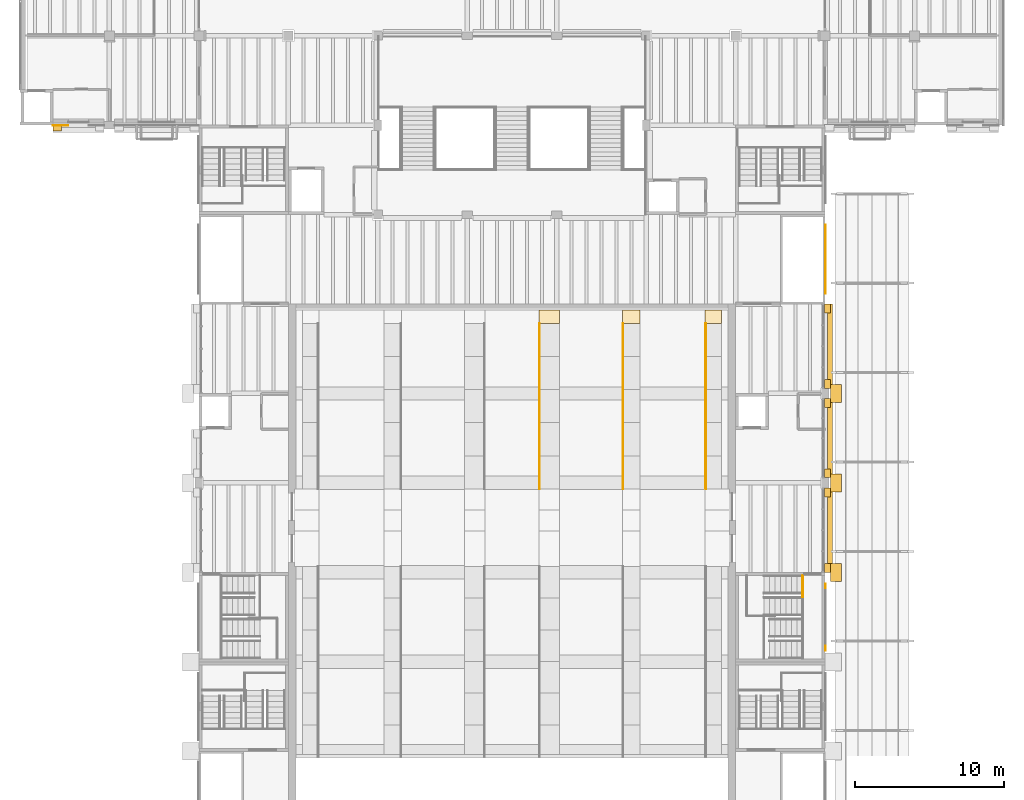
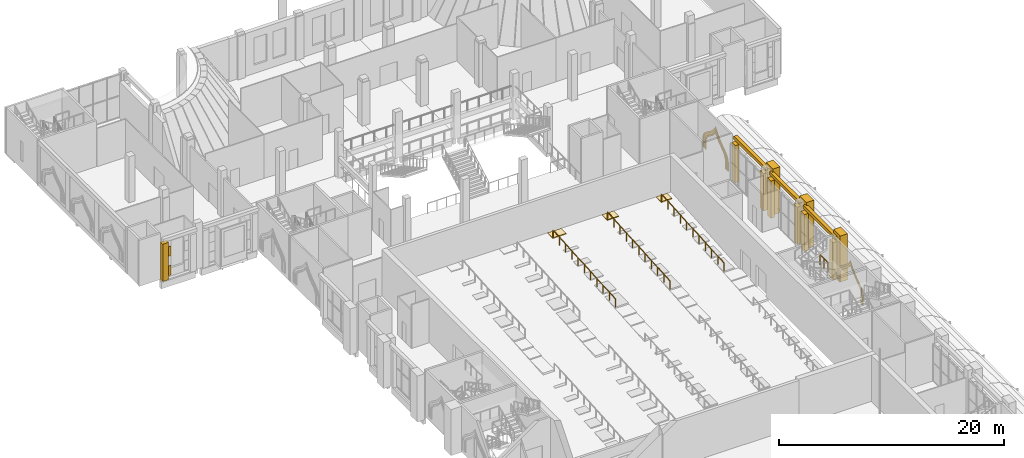
# One storey, part 72 of 80: 23 coverings, 4 railings.
"""IFC4 building model written with IfcOpenShell, lengths in metres."""

from ifc_helpers import new_model, si_unit, direction, frame, origin, origin_2d, place, context, subcontext, project, spatial, polyline, rectangle, circle, outline, extrude, material, layer, layer_set, type_object, element, save


model = new_model("IFC4")

# Units and contexts
model_context = context("Model", 3, precision=1e-05, world=origin(), true_north=direction((0.0, 1.0)))
body_context = subcontext(model_context, "Body", "Model", "MODEL_VIEW")
ifc_project = project(units=[si_unit("LENGTHUNIT", "METRE"), si_unit("AREAUNIT", "SQUARE_METRE"), si_unit("VOLUMEUNIT", "CUBIC_METRE"), si_unit("PLANEANGLEUNIT", "RADIAN"), si_unit("MASSUNIT", "GRAM", prefix="KILO")], contexts=[model_context])

# Site, building, storey
site_placement = place(None, origin())
site = spatial("IfcSite", under=ifc_project, at=site_placement, CompositionType="ELEMENT")
building_placement = place(site_placement, origin())
building = spatial("IfcBuilding", under=site, at=building_placement, Name="Saffron Lane Theatres", CompositionType="ELEMENT")
storey_placement = place(building_placement, frame((0.0, 0.0, 7.0)))
storey = spatial("IfcBuildingStorey", under=building, at=storey_placement, Name="L01", CompositionType="ELEMENT", Elevation=7.0)

# Coverings
ifc_material_1 = material(Name="Masonry sandstone", Category="masonry")
ifc_layer_1 = layer(ifc_material_1, 0.050048828125)
ifc_layer_set_1 = layer_set([ifc_layer_1], Name="Masonry sandstone")
covering_type_1 = type_object("IfcCoveringType", Name="EX-ARCH FRAME RING SANDSTONE 50", PredefinedType="CLADDING", material=ifc_layer_set_1)
covering_1_placement = place(storey_placement, frame((54.0, 66.949951171875, 1.297119140625), z_axis=(-1.0, 0.0, 0.0), x_axis=(0.0, 0.067277250526, 0.997734319126)))
element("IfcCovering", 1, at=covering_1_placement, inside=storey, type_object=covering_type_1, Name="Arch recess ring L01", PredefinedType="CLADDING", context=body_context, shape_type="SweptSolid", body=[
    extrude(outline(polyline([(0.0, 0.0), (0.19233029031026627, -1.734723475976807e-18), (0.3686361813310119, 0.027262893416721473), (0.5275519096710343, 0.07967851847782519), (0.6708947742924419, 0.15516677446133414), (0.801502910238719, 0.24864238533224844), (0.9231258912040249, 0.3576502620084015), (1.0375317408204932, 0.47937954132705035), (1.1515545444756434, 0.6099436703748589), (1.2681994774824994, 0.7503634852332024), (1.390304674884545, 0.8955537098670809), (1.5227911616168623, 1.045916604517425), (1.6694413615935944, 1.199484255062579), (1.8330304985878798, 1.3538672728603438), (2.016903096883326, 1.5078613564498122), (2.2254737921748915, 1.6579877914978223), (2.5852450627263814, 1.8803809916168035), (2.258586813918305, 2.1490601516926007), (2.0720586162356986, 2.3258281151472655), (1.9105241675290636, 2.5031130047050683), (1.7691417792436548, 2.6780602602125323), (1.6444355262159311, 2.849925483288521), (1.5333345326929018, 3.016713487930638), (1.4318264232205393, 3.1769819635369636), (1.3350887235237119, 3.3317901747481), (1.2396262941592646, 3.4764798983888334), (1.142598210914092, 3.6124661731803407), (1.0367104853209044, 3.7368151025888094), (0.9198337413277493, 3.846978625211365), (0.7879227532606154, 3.941027255485577), (0.6374823816763479, 4.014302770236232), (0.4664325258529695, 4.064987870501222), (0.27584329720183115, 4.090808143408288), (-0.619340692736567, 4.151170422628053), (-0.632792857819829, 3.951672276298924), (0.2563014451121856, 3.8917206248289538), (0.4240427259492967, 3.8681750747018797), (0.5646332999700076, 3.8266400003332506), (0.6859993674224233, 3.7685384980453724), (0.7931577147319555, 3.6920641156468856), (0.8911443426036292, 3.5993242257405083), (0.9838402256115377, 3.4898124390861174), (1.0746555884792561, 3.363298804143827), (1.16632195798919, 3.224003644458316), (1.2624602961251856, 3.071193408419198), (1.3657200041196895, 2.9078704821698738), (1.480373470016977, 2.735704338682526), (1.6104494943810679, 2.55638087603933), (1.7586139035544, 2.3731460678639413), (1.9292841224015533, 2.1861914371370204), (2.126083902075996, 1.9984536695620012), (2.2420303030465982, 1.9035239715952113), (2.114389223761854, 1.8250193836201942), (1.8941672372391434, 1.6654014043510899), (1.6999434106637878, 1.5030515883918443), (1.5285210457421055, 1.3413665245256619), (1.3755484180494837, 1.1811290396929053), (1.2388196043232536, 1.0259136097170671), (1.1145686057592639, 0.8779317362000586), (0.9987858360731082, 0.7394113458537825), (0.8892489468921257, 0.6136833270214762), (0.7822712757925029, 0.5005068813925057), (0.6757125999515381, 0.40443083471138436), (0.5661626946456565, 0.32568513851799763), (0.4497077350807808, 0.2642890070919583), (0.3216402227517218, 0.22300681743565523), (0.17674626991316658, 0.20072197197738367), (0.0073624780768782, 0.19990877407892305), (-0.8817318248551363, 0.2598604255488935), (-0.8951839899383982, 0.06036227921976477), (0.0, 0.0)])), origin(), (0.0, 0.0, -1.0), 0.050048828125),
])
covering_2_placement = place(storey_placement, frame((54.0, 66.75, 1.2958984375), z_axis=(-1.0, 0.0, 0.0), x_axis=(0.0, 0.067065646472, 0.997748565052)))
element("IfcCovering", 2, at=covering_2_placement, inside=storey, type_object=covering_type_1, Name="Arch recess ring L01", PredefinedType="CLADDING", context=body_context, shape_type="SweptSolid", body=[
    extrude(outline(polyline([(0.0, 0.0), (0.2074984191926236, -1.734723475976807e-18), (0.3949565987586749, 0.029486570596540487), (0.5642577725688886, 0.08735436036579791), (0.717006825863624, 0.16835697159344967), (0.8571974438937694, 0.27002373702473836), (0.9873453927117799, 0.38973863913971574), (1.112807662625058, 0.5234712242409627), (1.2368962863562354, 0.6695307182950527), (1.364579312989259, 0.8253809602518462), (1.4999159215703994, 0.9895256466896439), (1.6475487029811116, 1.1582270352158286), (1.809442758336358, 1.3315977291979), (1.9914586333089161, 1.5058181189990125), (2.196681143111999, 1.6794573949928495), (2.42863316452881, 1.85032122778061), (2.776077461779361, 2.068477613157778), (2.4609543525500626, 2.3311697793950295), (2.253955467173975, 2.531538567002596), (2.073817081002381, 2.7310806390702025), (1.9167543420705462, 2.928092869664417), (1.7795187006768023, 3.1215701588289084), (1.655791154580694, 3.3085115693691134), (1.54363934956495, 3.48929167983406), (1.4379622381804387, 3.6608276857849567), (1.334536906892433, 3.8221799810608545), (1.2281005845377642, 3.971500089463132), (1.1151447570076538, 4.107555693526036), (0.9898212305293306, 4.22706951819905), (0.8492867700734272, 4.327785761836828), (0.6892529683098338, 4.407790454445362), (0.5074272551466756, 4.462099173491861), (0.3017954091224526, 4.4898685427340315), (-0.5921834077088134, 4.549959099997454), (-0.6015653938973532, 4.410381480911809), (0.2885159676016784, 4.350552898829917), (0.4771455668939128, 4.324660443881734), (0.6383663000720692, 4.276875251559516), (0.7770827331991319, 4.207357034802879), (0.9003937617368865, 4.119788383334645), (1.0125694087921775, 4.012169438367741), (1.1171836822691663, 3.886706881200974), (1.2179231934395136, 3.74364229201819), (1.3196781456917779, 3.586562030623556), (1.4243808932432305, 3.4150915184680417), (1.538415932129709, 3.233206056579271), (1.6638302307104045, 3.0422362031160675), (1.804928569764272, 2.844339519030701), (1.9667137560473695, 2.6411372630123773), (2.1531978590338507, 2.434072596587418), (2.367842283260377, 2.2273173021695953), (2.5385762774713267, 2.0844417257822565), (2.350257199200182, 1.9657006129933607), (2.109873713388342, 1.789530921019154), (1.8973558267373267, 1.6092859638033192), (1.7098315788689158, 1.4295632334296131), (1.5435181285927948, 1.2523298417874182), (1.3936746443344354, 1.0798619855197642), (1.2563238142917952, 0.9148739228396727), (1.1296151514918304, 0.7589581870874968), (1.0077536040571458, 0.616908751733141), (0.8887740708727788, 0.4886130134091051), (0.7683102989132307, 0.3782795229756905), (0.6427411707022231, 0.2866410640821107), (0.5088201473125074, 0.216362774594851), (0.3620479773534, 0.1660342398852799), (0.1958824626238666, 0.14025496281157382), (0.005484530856305384, 0.13983959426717443), (-0.8845968306427262, 0.19966817634906692), (-0.893978816831266, 0.06009055726342237), (0.0, 0.0)])), origin(), (0.0, 0.0, -1.0), 0.050048828125),
])
covering_3_placement = place(storey_placement, frame((54.0, 91.159912109375, 1.236083984375), z_axis=(-1.0, 0.0, 0.0), x_axis=(0.0, 0.070052199931, 0.997543327021)))
element("IfcCovering", 3, at=covering_3_placement, inside=storey, type_object=covering_type_1, Name="Arch recess ring L01", PredefinedType="CLADDING", context=body_context, shape_type="SweptSolid", body=[
    extrude(outline(polyline([(0.0, 0.0), (0.17425621553607237, 0.0), (0.3332302426515908, 0.02285521433109288), (0.4759650205291351, 0.0688775941960976), (0.6048658571272827, 0.13398235750722476), (0.7227868323104211, 0.21699010980469396), (0.8338209374085193, 0.3134528100342753), (0.9399164992321657, 0.42323363749297804), (1.0443845787937367, 0.5412052363362231), (1.1527198955253422, 0.6689396764413744), (1.2672593470340636, 0.8013780123153483), (1.392194435556024, 0.9389601225182602), (1.5283625037935262, 1.0796692698880261), (1.682706518319837, 1.2213046934170395), (1.855786075810189, 1.3613796768284432), (2.0520191167641535, 1.500073455243155), (2.349264146322142, 1.679643102779874), (2.0800331557015133, 1.8989933697111585), (1.9051099392383608, 2.0637514920456117), (1.7533060010630737, 2.226641327680726), (1.620271811027575, 2.388457804900878), (1.5051057206991554, 2.5468168229564525), (1.400625327274315, 2.700509570936527), (1.3057196466447687, 2.847656132382009), (1.216299792101637, 2.9892778738407233), (1.1293447625228843, 3.1206921067528115), (1.0396334798823825, 3.2442234148620868), (0.943170779652801, 3.3552575199601846), (0.8380083350235519, 3.4539312427500968), (0.719471666676955, 3.536412235341052), (0.5845698740456321, 3.6019315653822406), (0.4303503663590429, 3.6467807077190995), (0.25780440961035506, 3.6711347928514564), (-0.5763230061728635, 3.729711156319379), (-0.5847374794067958, 3.609889057468184), (0.2452497419039222, 3.5516034379941166), (0.40521708732315365, 3.5293563916878177), (0.5407140500124862, 3.489737904826296), (0.6590468555116269, 3.4322348997733356), (0.7621426234222006, 3.359893689481027), (0.8572904766960407, 3.27195765546183), (0.9453065508264871, 3.169593194208742), (1.0303310402860402, 3.052509561727907), (1.1164487271624894, 2.923112065977903), (1.2047876981519938, 2.7835241642691466), (1.3007742623351675, 2.634343763073707), (1.40699775151611, 2.477591704174759), (1.5257697514718511, 2.314818850240701), (1.6623585433710502, 2.147857914588097), (1.820066978983904, 1.9784348903851734), (2.0004931241213453, 1.8083954889152767), (2.1417673409944626, 1.6942145076483908), (1.9859217192528282, 1.6008986835875971), (1.7835016461096211, 1.457744550255386), (1.6036624617880104, 1.3120257128456134), (1.4450797418830457, 1.1657931136961102), (1.3047242760305109, 1.021217413259825), (1.177635629643476, 0.8808496335440211), (1.0617416531751458, 0.7465484837988279), (0.9547608614031491, 0.6206768575648959), (0.851403765949863, 0.5045851751807439), (0.7508501267008576, 0.4005337146597796), (0.6493914185015683, 0.3114750667725437), (0.5428874468794945, 0.23769997551289157), (0.4306931022200347, 0.18047745290106257), (0.3054850563956079, 0.14007703572194855), (0.1657808570893092, 0.11978447315787275), (0.0042742787614316, 0.12011284284505058), (-0.8257129425492863, 0.17839846231911785), (-0.8341274157832186, 0.05857636346792266), (0.0, 0.0)])), origin(), (0.0, 0.0, -1.0), 0.050048828125),
])
covering_4_placement = place(storey_placement, frame((54.0, 90.89990234375, 1.237060546875), z_axis=(-1.0, 0.0, 0.0), x_axis=(0.0, 0.066765192838, 0.997768715197)))
element("IfcCovering", 4, at=covering_4_placement, inside=storey, type_object=covering_type_1, Name="Arch recess ring L01", PredefinedType="CLADDING", context=body_context, shape_type="SweptSolid", body=[
    extrude(outline(polyline([(0.0, 0.0), (0.19746207851001016, 1.734723475976807e-18), (0.37770038901075476, 0.02782335815376883), (0.5406334310226948, 0.08225209507263866), (0.6871694821122494, 0.15857638860013262), (0.8208483797740672, 0.25484656615349843), (0.9445760688841597, 0.3669531924421973), (1.0629962656544885, 0.4911599232598029), (1.1794215117978764, 0.6257769819972044), (1.2991131160490152, 0.7689841912780281), (1.4244092366097936, 0.9191569748767947), (1.5600024899798968, 1.0732897762202782), (1.7109757893999142, 1.2305531015389473), (1.877913221639876, 1.3887056876454766), (2.0678301668663317, 1.5465440441253384), (2.2815380076311382, 1.7015670118175659), (2.6475457945106817, 1.9276348530849203), (2.314920604050358, 2.200451369415909), (2.1237720960219777, 2.3825650965069367), (1.9565774844910262, 2.564299393587666), (1.8121993849874904, 2.7432835022643918), (1.683524616769374, 2.9192593376852414), (1.5696756913403056, 3.090083437238335), (1.4655044950760647, 3.25561091118227), (1.3659598093669945, 3.4134882067801335), (1.2685078748603114, 3.562416749724603), (1.1676917816704306, 3.7012935668592486), (1.0600033869336354, 3.8288852842603784), (0.9403425717525447, 3.94210756155788), (0.8052817881820971, 4.037274765954816), (0.651052997384934, 4.11292622774567), (0.4761285181501395, 4.164515125733044), (0.28042684999817413, 4.19082348052827), (-0.5548634147502236, 4.246716509396192), (-0.5682294933946379, 4.046967889654668), (0.2609708744104207, 3.9914823631844407), (0.43385603053497, 3.9679241967932186), (0.5783002359830207, 3.925226095562678), (0.7024725554870431, 3.8647989233497295), (0.8134372695013108, 3.7861699773730466), (0.9145078252995301, 3.691319719285429), (1.0102310440791, 3.5787204678759603), (1.1035952767564547, 3.449151005504681), (1.1972483833557312, 3.3056150776230497), (1.2961111817193247, 3.14851746994611), (1.4021170443340791, 2.9811544240907772), (1.5195212017928204, 2.804954009570754), (1.6525951847842812, 2.621587891777475), (1.8053832282153692, 2.4329876320760175), (1.9810692841534128, 2.242855163359225), (2.1827548986253165, 2.0500042008693606), (2.3043192027840873, 1.9506016882190418), (2.170595027078081, 1.8682816760801206), (1.9450134720053098, 1.7040210818125767), (1.7455618762336615, 1.5389907607938302), (1.5690082929689688, 1.3724282307597486), (1.4126903732129532, 1.2084266269049622), (1.2728572837850487, 1.049439113663599), (1.1454982955310469, 0.8976915596879602), (1.0265863792008323, 0.7551662377526137), (0.9146445649929791, 0.6253875908171842), (0.8048498356405397, 0.5094124084330287), (0.69497813361298, 0.41057043796976217), (0.5821715087611286, 0.33003166408921236), (0.4617201389285084, 0.26688780922496025), (0.3306039785677537, 0.22354313752340954), (0.18175874722459093, 0.20047035176588712), (0.007276181701075103, 0.20015612213921966), (-0.8219241861039834, 0.2556416486094466), (-0.8352902647483977, 0.05589302886792252), (0.0, 0.0)])), origin(), (0.0, 0.0, -1.0), 0.050048828125),
])
covering_5_placement = place(storey_placement, frame((54.0, 90.699951171875, 1.236083984375), z_axis=(-1.0, 0.0, 0.0), x_axis=(0.0, 0.071247049988, 0.997458699831)))
element("IfcCovering", 5, at=covering_5_placement, inside=storey, type_object=covering_type_1, Name="Arch recess ring L01", PredefinedType="CLADDING", context=body_context, shape_type="SweptSolid", body=[
    extrude(outline(polyline([(0.0, 0.0), (0.2124539718145333, -1.734723475976807e-18), (0.40399999585429425, 0.029396365839738106), (0.5774211600094357, 0.08603220440434597), (0.7338828823339589, 0.16908998362609123), (0.8766031082008531, 0.27222078425556295), (1.01062618441102, 0.3940852452456252), (1.1395527309223448, 0.5302652145706606), (1.267453013774176, 0.6794909083807866), (1.3991626481756534, 0.8375007233442073), (1.5384040141798565, 1.0050078257327741), (1.690012726995926, 1.1777506122146908), (1.8569806061057759, 1.353067754994999), (2.0442302382151136, 1.531341928658594), (2.254353373921644, 1.707737517996336), (2.4933858350871354, 1.8810891049542235), (2.847951232292592, 2.1024837466158726), (2.5284527425030596, 2.3720258087771637), (2.3164858110693034, 2.5775916380635686), (2.133567359489016, 2.7820616264932267), (1.9735572001045478, 2.9851400709778075), (1.8332025989442835, 3.1824088194916955), (1.7076853350983958, 3.374946318592323), (1.5936657030987016, 3.560543492266883), (1.4857514701580299, 3.7356692977547428), (1.380359410617809, 3.901558730307158), (1.2720972916908682, 4.0546807471634985), (1.1567556929433513, 4.194356970650539), (1.030142588240716, 4.316725866320691), (0.8870744763875528, 4.421178633697985), (0.7234636970451997, 4.501888182512413), (0.5380404663637747, 4.55821092368938), (0.32774338766410976, 4.588407427297536), (-0.5063132644160335, 4.647982902446118), (-0.5162975922219565, 4.508202313163197), (0.3136192166215847, 4.448922541102944), (0.5072699508782736, 4.422117925860912), (0.6720287539753147, 4.371187417471117), (0.8143663052573129, 4.301053602639268), (0.9402662436880966, 4.209820502740199), (1.0547555217692541, 4.099331913501136), (1.1608259589826997, 3.9703531840918704), (1.2646525315847097, 3.823667057981509), (1.3674006576292854, 3.6618826800670687), (1.4740972896180153, 3.486843846075776), (1.5899955059435626, 3.3001334372451554), (1.7174261427139303, 3.1035430664044927), (1.861311786634826, 2.9008820851034343), (2.025844463840792, 2.6925853508248165), (2.2153205662622524, 2.480548842193806), (2.434575709108346, 2.2673643098081078), (2.610519046663938, 2.119443188446491), (2.4153376140676652, 1.9980309792385782), (2.168008072129656, 1.8181739243374588), (1.9503184162217726, 1.6352206841585444), (1.7578504943183986, 1.452423992673451), (1.5866210118767525, 1.2722712346840026), (1.4325423085581723, 1.0957886738496931), (1.2912832038336084, 0.9274466450940806), (1.1607911703840728, 0.7693498586340927), (1.0360914386059175, 0.6238117562784188), (0.9124701533851963, 0.49337190572682343), (0.7891445712528039, 0.3807786062708325), (0.6601136589455984, 0.287684316345224), (0.5225247513761733, 0.21527184830331295), (0.3716639934305824, 0.16608076984486358), (0.20133901455323586, 0.13908481731038222), (0.0058444845693207135, 0.1400762923712491), (-0.8240723242742205, 0.19935606443150206), (-0.8340566520801433, 0.05957547514858168), (0.0, 0.0)])), origin(), (0.0, 0.0, -1.0), 0.050048828125),
])
ifc_material_2 = material(Name="Face brick cladding, pale buff", Category="masonry")
ifc_layer_2 = layer(ifc_material_2, 0.0400390625)
ifc_layer_set_2 = layer_set([ifc_layer_2], Name="Face brick cladding, pale buff")
covering_type_2 = type_object("IfcCoveringType", Name="EX-FACE BRICK CLADDING PALE BUFF 40", PredefinedType="CLADDING", material=ifc_layer_set_2)
for number, where, z_axis, x_axis, name in (
    (6, (2.715087890625, 101.97998046875, 0.14990234375), (0.0, 0.0, 1.0), (-1.0, 0.0, 0.0), "Cladding course L01"),
    (7, (2.715087890625, 101.97998046875, 2.25), (0.0, 0.0, 1.0), (-1.0, 0.0, 0.0), "Cladding course L01"),
):
    element("IfcCovering", number, at=place(storey_placement, frame(where, z_axis=z_axis, x_axis=x_axis)), inside=storey, type_object=covering_type_2, Name=name, PredefinedType="CLADDING", context=body_context, shape_type="SweptSolid", body=[
        extrude(rectangle(XDim=1.030029296875, YDim=0.0400390625, at=origin_2d()), origin(), (0.0, 0.0, 1.0), 1.050048828125),
    ])
ifc_material_3 = material(Name="Masonry sandstone", Category="masonry")
ifc_layer_3 = layer(ifc_material_3, 1.199951171875)
ifc_layer_set_3 = layer_set([ifc_layer_3], Name="Masonry sandstone")
covering_type_3 = type_object("IfcCoveringType", Name="EX-FLANK BUTTRESS PIER SANDSTONE 1200", PredefinedType="CLADDING", material=ifc_layer_set_3)
for number, where, z_axis, x_axis, name in (
    (8, (54.72509765625, 72.0, 0.0), (0.0, 0.0, 1.0), (0.0, 1.0, 0.0), "Flank buttress east L01"),
    (9, (54.72509765625, 78.0, 0.0), (0.0, 0.0, 1.0), (0.0, 1.0, 0.0), "Flank buttress east L01"),
    (10, (54.72509765625, 84.0, 0.0), (0.0, 0.0, 1.0), (0.0, 1.0, 0.0), "Flank buttress east L01"),
):
    element("IfcCovering", number, at=place(storey_placement, frame(where, z_axis=z_axis, x_axis=x_axis)), inside=storey, type_object=covering_type_3, Name=name, PredefinedType="CLADDING", context=body_context, shape_type="SweptSolid", body=[
        extrude(rectangle(XDim=1.199951171875, YDim=0.75, at=origin_2d()), origin(), (0.0, 0.0, 1.0), 5.0),
    ])
ifc_material_4 = material(Name="Masonry sandstone", Category="masonry")
ifc_layer_4 = layer(ifc_material_4, 0.39990234375)
ifc_layer_set_4 = layer_set([ifc_layer_4], Name="Masonry sandstone")
covering_type_4 = type_object("IfcCoveringType", Name="EX-PILASTER PIER SANDSTONE 400", PredefinedType="CLADDING", material=ifc_layer_set_4)
for number, where, z_axis, x_axis, name in (
    (11, (2.5, 101.800048828125, 0.0), (0.0, 0.0, 1.0), (-1.0, 0.0, 0.0), "Pilaster pier L01"),
    (12, (54.14990234375, 89.699951171875, 0.0), (0.0, 0.0, 1.0), (0.0, -1.0, 0.0), "Pilaster pier L01"),
    (13, (54.14990234375, 84.64990234375, 0.0), (0.0, 0.0, 1.0), (0.0, -1.0, 0.0), "Pilaster pier L01"),
    (14, (54.14990234375, 83.35009765625, 0.0), (0.0, 0.0, 1.0), (0.0, -1.0, 0.0), "Pilaster pier L01"),
    (15, (54.14990234375, 78.64990234375, 0.0), (0.0, 0.0, 1.0), (0.0, -1.0, 0.0), "Pilaster pier L01"),
    (16, (54.14990234375, 77.35009765625, 0.0), (0.0, 0.0, 1.0), (0.0, -1.0, 0.0), "Pilaster pier L01"),
    (17, (54.14990234375, 72.300048828125, 0.0), (0.0, 0.0, 1.0), (0.0, -1.0, 0.0), "Pilaster pier L01"),
):
    element("IfcCovering", number, at=place(storey_placement, frame(where, z_axis=z_axis, x_axis=x_axis)), inside=storey, type_object=covering_type_4, Name=name, PredefinedType="CLADDING", context=body_context, shape_type="SweptSolid", body=[
        extrude(rectangle(XDim=0.60009765625, YDim=0.39990234375, at=origin_2d()), origin(), (0.0, 0.0, 1.0), 4.050048828125),
    ])
ifc_material_5 = material(Name="Masonry sandstone", Category="masonry")
ifc_layer_5 = layer(ifc_material_5, 0.300048828125)
ifc_layer_set_5 = layer_set([ifc_layer_5], Name="Masonry sandstone")
covering_type_5 = type_object("IfcCoveringType", Name="EX-STRING COURSE SANDSTONE 350", PredefinedType="CLADDING", material=ifc_layer_set_5)
covering_6_placement = place(storey_placement, frame((54.324951171875, 87.175048828125, 4.300048828125), z_axis=(0.0, 0.0, 1.0), x_axis=(0.0, -1.0, 0.0)))
element("IfcCovering", 18, at=covering_6_placement, inside=storey, type_object=covering_type_5, Name="String course L01", PredefinedType="CLADDING", context=body_context, shape_type="SweptSolid", body=[
    extrude(rectangle(XDim=5.64990234375, YDim=0.35009765625, at=origin_2d()), origin(), (0.0, 0.0, 1.0), 0.35009765625),
])
covering_7_placement = place(storey_placement, frame((54.324951171875, 81.0, 4.300048828125), z_axis=(0.0, 0.0, 1.0), x_axis=(0.0, -1.0, 0.0)))
element("IfcCovering", 19, at=covering_7_placement, inside=storey, type_object=covering_type_5, Name="String course L01", PredefinedType="CLADDING", context=body_context, shape_type="SweptSolid", body=[
    extrude(rectangle(XDim=5.300048828125, YDim=0.35009765625, at=origin_2d()), origin(), (0.0, 0.0, 1.0), 0.35009765625),
])
covering_8_placement = place(storey_placement, frame((54.324951171875, 74.824951171875, 4.300048828125), z_axis=(0.0, 0.0, 1.0), x_axis=(0.0, -1.0, 0.0)))
element("IfcCovering", 20, at=covering_8_placement, inside=storey, type_object=covering_type_5, Name="String course L01", PredefinedType="CLADDING", context=body_context, shape_type="SweptSolid", body=[
    extrude(rectangle(XDim=5.64990234375, YDim=0.35009765625, at=origin_2d()), origin(), (0.0, 0.0, 1.0), 0.35009765625),
])
ifc_material_6 = material(Name="Cement screed", Category="screed")
covering_type_6 = type_object("IfcCoveringType", Name="VC-AISLE PLATFORM", PredefinedType="FLOORING", material=ifc_material_6)
covering_9_placement = place(storey_placement, frame((0.0, 0.0, 1.0458984375)))
element("IfcCovering", 21, at=covering_9_placement, inside=storey, type_object=covering_type_6, Name="Stalls aisle 4 part 2 landing 1", PredefinedType="FLOORING", context=body_context, shape_type="SweptSolid", body=[
    extrude(outline(polyline([(34.800048828125, 88.699951171875), (36.199951171875, 88.699951171875), (36.199951171875, 89.60009765625), (34.800048828125, 89.60009765625), (34.800048828125, 88.699951171875)])), origin(), (0.0, 0.0, 1.0), 0.1220703125),
])
covering_10_placement = place(storey_placement, frame((0.0, 0.0, 1.0458984375)))
element("IfcCovering", 22, at=covering_10_placement, inside=storey, type_object=covering_type_6, Name="Stalls aisle 5 part 2 landing 1", PredefinedType="FLOORING", context=body_context, shape_type="SweptSolid", body=[
    extrude(outline(polyline([(40.39990234375, 88.699951171875), (41.60009765625, 88.699951171875), (41.60009765625, 89.60009765625), (40.39990234375, 89.60009765625), (40.39990234375, 88.699951171875)])), origin(), (0.0, 0.0, 1.0), 0.1220703125),
])
covering_11_placement = place(storey_placement, frame((0.0, 0.0, 1.0458984375)))
element("IfcCovering", 23, at=covering_11_placement, inside=storey, type_object=covering_type_6, Name="Stalls aisle 6 part 2 landing 1", PredefinedType="FLOORING", context=body_context, shape_type="SweptSolid", body=[
    extrude(outline(polyline([(45.949951171875, 88.699951171875), (47.050048828125, 88.699951171875), (47.050048828125, 89.60009765625), (45.949951171875, 89.60009765625), (45.949951171875, 88.699951171875)])), origin(), (0.0, 0.0, 1.0), 0.1220703125),
])

# Railings
ifc_material_7 = material(Name="Steel Grade 350", Category="steel")
railing_type_1 = type_object("IfcRailingType", Name="VC-GUARD 1100", PredefinedType="GUARDRAIL", material=ifc_material_7)
railing_1_placement = place(storey_placement, frame((52.5, 70.35009765625, 2.333251953125)))
element("IfcRailing", 24, at=railing_1_placement, inside=storey, type_object=railing_type_1, Name="Auditorium East Rear Stair landing guard 2S2e", PredefinedType="GUARDRAIL", context=body_context, shape_type="SweptSolid", body=[
    extrude(circle(Radius=0.02392578125, at=origin_2d()), frame((0.0, 0.0, 1.076171875), z_axis=(0.0, 1.0, 0.0), x_axis=(-1.0, 0.0, 0.0)), (0.0, 0.0, 1.0), 1.419921875),
    extrude(circle(Radius=0.02099609375, at=origin_2d()), origin(), (0.0, 0.0, 1.0), 1.052001953125),
    extrude(circle(Radius=0.02099609375, at=origin_2d()), frame((0.0, 0.7099609375, 0.0)), (0.0, 0.0, 1.0), 1.052001953125),
    extrude(circle(Radius=0.02099609375, at=origin_2d()), frame((0.0, 1.419921875, 0.0)), (0.0, 0.0, 1.0), 1.052001953125),
])
ifc_material_8 = material(Name="Steel Grade 350", Category="steel")
railing_type_2 = type_object("IfcRailingType", Name="VC-HANDRAIL 900", PredefinedType="HANDRAIL", material=ifc_material_8)
railing_2_placement = place(storey_placement, frame((34.85009765625, 77.60009765625, 0.35595703125)))
element("IfcRailing", 25, at=railing_2_placement, inside=storey, type_object=railing_type_2, Name="Stalls aisle 4 part 2 handrail", PredefinedType="HANDRAIL", context=body_context, shape_type="SweptSolid", body=[
    extrude(circle(Radius=0.02392578125, at=origin_2d()), frame((0.0, 0.0, 0.8759765625), z_axis=(0.0, 0.997782972411, 0.066551784094), x_axis=(-1.0, 0.0, 0.0)), (0.0, 0.0, 1.0), 4.44970703125),
    extrude(circle(Radius=0.02392578125, at=origin_2d()), frame((0.0, 4.43994140625, 1.171875), z_axis=(0.0, 0.997786614227, 0.066497161357), x_axis=(-1.0, 0.0, 0.0)), (0.0, 0.0, 1.0), 4.44970703125),
    extrude(circle(Radius=0.02392578125, at=origin_2d()), frame((0.0, 8.8798828125, 1.4677734375), z_axis=(0.0, 0.997786614227, 0.066497161357), x_axis=(-1.0, 0.0, 0.0)), (0.0, 0.0, 1.0), 2.224853515625),
    extrude(circle(Radius=0.02099609375, at=origin_2d()), origin(), (0.0, 0.0, 1.0), 0.851806640625),
    extrude(circle(Radius=0.02099609375, at=origin_2d()), frame((0.0, 1.10986328125, 0.073974609375)), (0.0, 0.0, 1.0), 0.851806640625),
    extrude(circle(Radius=0.02099609375, at=origin_2d()), frame((0.0, 2.219970703125, 0.14794921875)), (0.0, 0.0, 1.0), 0.851806640625),
    extrude(circle(Radius=0.02099609375, at=origin_2d()), frame((0.0, 3.330078125, 0.22216796875)), (0.0, 0.0, 1.0), 0.851806640625),
    extrude(circle(Radius=0.02099609375, at=origin_2d()), frame((0.0, 4.43994140625, 0.296142578125)), (0.0, 0.0, 1.0), 0.851806640625),
    extrude(circle(Radius=0.02099609375, at=origin_2d()), frame((0.0, 5.5498046875, 0.3701171875)), (0.0, 0.0, 1.0), 0.851806640625),
    extrude(circle(Radius=0.02099609375, at=origin_2d()), frame((0.0, 6.659912109375, 0.444091796875)), (0.0, 0.0, 1.0), 0.851806640625),
    extrude(circle(Radius=0.02099609375, at=origin_2d()), frame((0.0, 7.77001953125, 0.51806640625)), (0.0, 0.0, 1.0), 0.851806640625),
    extrude(circle(Radius=0.02099609375, at=origin_2d()), frame((0.0, 8.8798828125, 0.592041015625)), (0.0, 0.0, 1.0), 0.851806640625),
    extrude(circle(Radius=0.02099609375, at=origin_2d()), frame((0.0, 9.98974609375, 0.666015625)), (0.0, 0.0, 1.0), 0.851806640625),
    extrude(circle(Radius=0.02099609375, at=origin_2d()), frame((0.0, 11.099853515625, 0.739990234375)), (0.0, 0.0, 1.0), 0.851806640625),
])
railing_3_placement = place(storey_placement, frame((40.449951171875, 77.60009765625, 0.35595703125)))
element("IfcRailing", 26, at=railing_3_placement, inside=storey, type_object=railing_type_2, Name="Stalls aisle 5 part 2 handrail", PredefinedType="HANDRAIL", context=body_context, shape_type="SweptSolid", body=[
    extrude(circle(Radius=0.02392578125, at=origin_2d()), frame((0.0, 0.0, 0.8759765625), z_axis=(0.0, 0.997782972411, 0.066551784094), x_axis=(-1.0, 0.0, 0.0)), (0.0, 0.0, 1.0), 4.44970703125),
    extrude(circle(Radius=0.02392578125, at=origin_2d()), frame((0.0, 4.43994140625, 1.171875), z_axis=(0.0, 0.997786614227, 0.066497161357), x_axis=(-1.0, 0.0, 0.0)), (0.0, 0.0, 1.0), 4.44970703125),
    extrude(circle(Radius=0.02392578125, at=origin_2d()), frame((0.0, 8.8798828125, 1.4677734375), z_axis=(0.0, 0.997786614227, 0.066497161357), x_axis=(-1.0, 0.0, 0.0)), (0.0, 0.0, 1.0), 2.224853515625),
    extrude(circle(Radius=0.02099609375, at=origin_2d()), origin(), (0.0, 0.0, 1.0), 0.851806640625),
    extrude(circle(Radius=0.02099609375, at=origin_2d()), frame((0.0, 1.10986328125, 0.073974609375)), (0.0, 0.0, 1.0), 0.851806640625),
    extrude(circle(Radius=0.02099609375, at=origin_2d()), frame((0.0, 2.219970703125, 0.14794921875)), (0.0, 0.0, 1.0), 0.851806640625),
    extrude(circle(Radius=0.02099609375, at=origin_2d()), frame((0.0, 3.330078125, 0.22216796875)), (0.0, 0.0, 1.0), 0.851806640625),
    extrude(circle(Radius=0.02099609375, at=origin_2d()), frame((0.0, 4.43994140625, 0.296142578125)), (0.0, 0.0, 1.0), 0.851806640625),
    extrude(circle(Radius=0.02099609375, at=origin_2d()), frame((0.0, 5.5498046875, 0.3701171875)), (0.0, 0.0, 1.0), 0.851806640625),
    extrude(circle(Radius=0.02099609375, at=origin_2d()), frame((0.0, 6.659912109375, 0.444091796875)), (0.0, 0.0, 1.0), 0.851806640625),
    extrude(circle(Radius=0.02099609375, at=origin_2d()), frame((0.0, 7.77001953125, 0.51806640625)), (0.0, 0.0, 1.0), 0.851806640625),
    extrude(circle(Radius=0.02099609375, at=origin_2d()), frame((0.0, 8.8798828125, 0.592041015625)), (0.0, 0.0, 1.0), 0.851806640625),
    extrude(circle(Radius=0.02099609375, at=origin_2d()), frame((0.0, 9.98974609375, 0.666015625)), (0.0, 0.0, 1.0), 0.851806640625),
    extrude(circle(Radius=0.02099609375, at=origin_2d()), frame((0.0, 11.099853515625, 0.739990234375)), (0.0, 0.0, 1.0), 0.851806640625),
])
railing_4_placement = place(storey_placement, frame((46.0, 77.60009765625, 0.35595703125)))
element("IfcRailing", 27, at=railing_4_placement, inside=storey, type_object=railing_type_2, Name="Stalls aisle 6 part 2 handrail", PredefinedType="HANDRAIL", context=body_context, shape_type="SweptSolid", body=[
    extrude(circle(Radius=0.02392578125, at=origin_2d()), frame((0.0, 0.0, 0.8759765625), z_axis=(0.0, 0.997782972411, 0.066551784094), x_axis=(-1.0, 0.0, 0.0)), (0.0, 0.0, 1.0), 4.44970703125),
    extrude(circle(Radius=0.02392578125, at=origin_2d()), frame((0.0, 4.43994140625, 1.171875), z_axis=(0.0, 0.997786614227, 0.066497161357), x_axis=(-1.0, 0.0, 0.0)), (0.0, 0.0, 1.0), 4.44970703125),
    extrude(circle(Radius=0.02392578125, at=origin_2d()), frame((0.0, 8.8798828125, 1.4677734375), z_axis=(0.0, 0.997786614227, 0.066497161357), x_axis=(-1.0, 0.0, 0.0)), (0.0, 0.0, 1.0), 2.224853515625),
    extrude(circle(Radius=0.02099609375, at=origin_2d()), origin(), (0.0, 0.0, 1.0), 0.851806640625),
    extrude(circle(Radius=0.02099609375, at=origin_2d()), frame((0.0, 1.10986328125, 0.073974609375)), (0.0, 0.0, 1.0), 0.851806640625),
    extrude(circle(Radius=0.02099609375, at=origin_2d()), frame((0.0, 2.219970703125, 0.14794921875)), (0.0, 0.0, 1.0), 0.851806640625),
    extrude(circle(Radius=0.02099609375, at=origin_2d()), frame((0.0, 3.330078125, 0.22216796875)), (0.0, 0.0, 1.0), 0.851806640625),
    extrude(circle(Radius=0.02099609375, at=origin_2d()), frame((0.0, 4.43994140625, 0.296142578125)), (0.0, 0.0, 1.0), 0.851806640625),
    extrude(circle(Radius=0.02099609375, at=origin_2d()), frame((0.0, 5.5498046875, 0.3701171875)), (0.0, 0.0, 1.0), 0.851806640625),
    extrude(circle(Radius=0.02099609375, at=origin_2d()), frame((0.0, 6.659912109375, 0.444091796875)), (0.0, 0.0, 1.0), 0.851806640625),
    extrude(circle(Radius=0.02099609375, at=origin_2d()), frame((0.0, 7.77001953125, 0.51806640625)), (0.0, 0.0, 1.0), 0.851806640625),
    extrude(circle(Radius=0.02099609375, at=origin_2d()), frame((0.0, 8.8798828125, 0.592041015625)), (0.0, 0.0, 1.0), 0.851806640625),
    extrude(circle(Radius=0.02099609375, at=origin_2d()), frame((0.0, 9.98974609375, 0.666015625)), (0.0, 0.0, 1.0), 0.851806640625),
    extrude(circle(Radius=0.02099609375, at=origin_2d()), frame((0.0, 11.099853515625, 0.739990234375)), (0.0, 0.0, 1.0), 0.851806640625),
])

save(model, "model.ifc")
